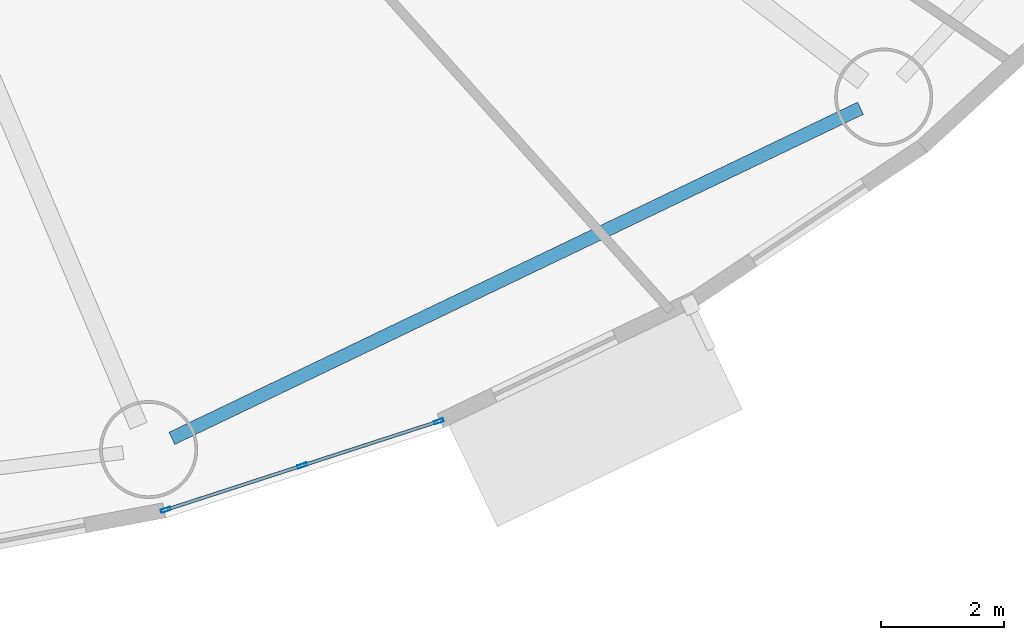
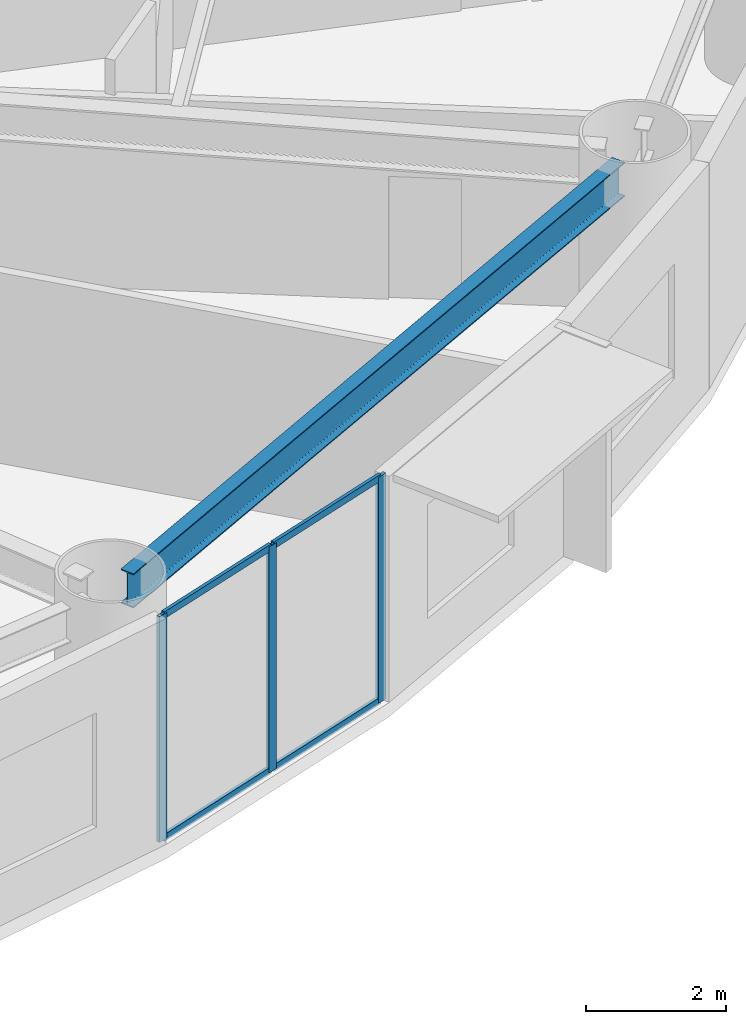
# One storey, part 6 of 29: 7 members, 1 beam, 1 element without a shape of its own.
"""IFC4 building model written with IfcOpenShell, lengths in metres."""

from ifc_helpers import new_model, si_unit, direction, frame, origin, origin_2d, place, context, subcontext, project, spatial, hollow_rectangle, i_section, extrude, source, transform, mapped, material, layer, layer_set, material_profile, profile_set, type_object, element, aggregate, save


model = new_model("IFC4")

# Units and contexts
model_context = context("Model", 3, precision=1e-05, world=origin(), true_north=direction((0.0, 1.0)))
body_context = subcontext(model_context, "Body", "Model", "MODEL_VIEW")
ifc_project = project(units=[si_unit("LENGTHUNIT", "METRE"), si_unit("AREAUNIT", "SQUARE_METRE"), si_unit("VOLUMEUNIT", "CUBIC_METRE"), si_unit("PLANEANGLEUNIT", "RADIAN"), si_unit("MASSUNIT", "GRAM", prefix="KILO")], contexts=[model_context])

# Site, building, storey
site_placement = place(None, origin())
site = spatial("IfcSite", under=ifc_project, at=site_placement, CompositionType="ELEMENT")
building_placement = place(site_placement, origin())
building = spatial("IfcBuilding", under=site, at=building_placement, Name="Linh Dai School and Residence Tower", CompositionType="ELEMENT")
storey_placement = place(building_placement, frame((0.0, 0.0, 45.0)))
storey = spatial("IfcBuildingStorey", under=building, at=storey_placement, Name="L10", CompositionType="ELEMENT", Elevation=45.0)

# Beam
ifc_material_1 = material(Name="Structural Steel S355JR", Category="steel")
ifc_material_profile_1 = material_profile(ifc_material_1, i_section(OverallWidth=0.219970703125, OverallDepth=0.60009765625, WebThickness=0.011962890625, FlangeThickness=0.01904296875, FilletRadius=0.02392578125, at=origin_2d()), Name="IPE 600")
ifc_profile_set_1 = profile_set([ifc_material_profile_1], Name="Structural Steel S355JR")
beam_type = type_object("IfcBeamType", Name="BM-RB60", PredefinedType="BEAM", material=ifc_profile_set_1)
beam_placement = place(storey_placement, frame((45.736572265625, 5.061767578125, 3.64990234375), z_axis=(0.901728693485, 0.432302398034, 0.0), x_axis=(-0.432302398034, 0.901728693485, 0.0)))
element("IfcBeam", 1, at=beam_placement, inside=storey, type_object=beam_type, Name="L10 Perimeter Elliptical Ring Beam 14", PredefinedType="BEAM", context=body_context, shape_type="SweptSolid", body=[
    extrude(i_section(OverallWidth=0.219970703125, OverallDepth=0.60009765625, WebThickness=0.011962890625, FlangeThickness=0.01904296875, FilletRadius=0.02392578125, at=origin_2d()), origin(), (0.0, 0.0, 1.0), 12.462158203125),
])

# Curtain wall, members
ifc_material_2 = material(Name="Aluminium Anodised Curtain Wall", Category="aluminium")
ifc_layer = layer(ifc_material_2, 0.159912109375)
ifc_layer_set = layer_set([ifc_layer], Name="Aluminium Anodised Curtain Wall")
curtain_wall_type = type_object("IfcCurtainWallType", Name="CW-SYS-3", PredefinedType="USERDEFINED", material=ifc_layer_set)
curtain_wall_placement = place(storey_placement, origin())
curtain_wall = element("IfcCurtainWall", 2, at=curtain_wall_placement, inside=storey, type_object=curtain_wall_type, Name="L10 CW3 Curtain Wall 33", ObjectType="RIBBON CURTAIN WALL", PredefinedType="USERDEFINED")
ifc_material_3 = material(Name="Aluminium Alloy 6063-T6", Category="aluminium")
ifc_material_profile_2 = material_profile(ifc_material_3, hollow_rectangle(XDim=0.054931640625, YDim=0.1201171875, WallThickness=0.00390625, at=origin_2d()), Name="RHS 120x55x4")
ifc_profile_set_2 = profile_set([ifc_material_profile_2], Name="Aluminium Alloy 6063-T6")
member_type_1 = type_object("IfcMemberType", Name="CW-SYS-3-TRN", PredefinedType="USERDEFINED", material=ifc_profile_set_2)
shared_shape_1 = source(origin(), body_context, "Body", "SweptSolid", [
    extrude(hollow_rectangle(XDim=0.054931640625, YDim=0.1201171875, WallThickness=0.00390625, at=origin_2d()), origin(), (0.0, 0.0, 1.0), 2.286865234375),
])
member_1_placement = place(storey_placement, frame((50.06591796875, 5.331787109375, 0.027587890625), z_axis=(-0.951214351328, -0.308530805313, 0.0), x_axis=(0.308530805313, -0.951214351328, 0.0)))
member_1 = element("IfcMember", 3, at=member_1_placement, type_object=member_type_1, Name="CW3 transom 1.1", ObjectType="TRANSOM", PredefinedType="USERDEFINED", context=body_context, shape_type="MappedRepresentation", body=[
    mapped(shared_shape_1, transform((0.0, 0.0, 0.0), x_axis=(1.0, 0.0, 0.0), y_axis=(0.0, 1.0, 0.0), z_axis=(0.0, 0.0, 1.0), scale=1.0)),
])
member_2_placement = place(storey_placement, frame((50.06591796875, 5.331787109375, 3.922607421875), z_axis=(-0.951214351328, -0.308530805313, 0.0), x_axis=(0.308530805313, -0.951214351328, 0.0)))
member_2 = element("IfcMember", 4, at=member_2_placement, type_object=member_type_1, Name="CW3 transom 1.2", ObjectType="TRANSOM", PredefinedType="USERDEFINED", context=body_context, shape_type="MappedRepresentation", body=[
    mapped(shared_shape_1, transform((0.0, 0.0, 0.0), x_axis=(1.0, 0.0, 0.0), y_axis=(0.0, 1.0, 0.0), z_axis=(0.0, 0.0, 1.0), scale=1.0)),
])
member_3_placement = place(storey_placement, frame((47.838134765625, 4.609375, 0.027587890625), z_axis=(-0.951214351328, -0.308530805313, 0.0), x_axis=(0.308530805313, -0.951214351328, 0.0)))
member_3 = element("IfcMember", 5, at=member_3_placement, type_object=member_type_1, Name="CW3 transom 2.1", ObjectType="TRANSOM", PredefinedType="USERDEFINED", context=body_context, shape_type="MappedRepresentation", body=[
    mapped(shared_shape_1, transform((0.0, 0.0, 0.0), x_axis=(1.0, 0.0, 0.0), y_axis=(0.0, 1.0, 0.0), z_axis=(0.0, 0.0, 1.0), scale=1.0)),
])
member_4_placement = place(storey_placement, frame((47.838134765625, 4.609375, 3.922607421875), z_axis=(-0.951214351328, -0.308530805313, 0.0), x_axis=(0.308530805313, -0.951214351328, 0.0)))
member_4 = element("IfcMember", 6, at=member_4_placement, type_object=member_type_1, Name="CW3 transom 2.2", ObjectType="TRANSOM", PredefinedType="USERDEFINED", context=body_context, shape_type="MappedRepresentation", body=[
    mapped(shared_shape_1, transform((0.0, 0.0, 0.0), x_axis=(1.0, 0.0, 0.0), y_axis=(0.0, 1.0, 0.0), z_axis=(0.0, 0.0, 1.0), scale=1.0)),
])
ifc_material_profile_3 = material_profile(ifc_material_3, hollow_rectangle(XDim=0.054931640625, YDim=0.159912109375, WallThickness=0.00390625, at=origin_2d()), Name="RHS 160x55x4")
ifc_profile_set_3 = profile_set([ifc_material_profile_3], Name="Aluminium Alloy 6063-T6")
member_type_2 = type_object("IfcMemberType", Name="CW-SYS-3-MUL", PredefinedType="MULLION", material=ifc_profile_set_3)
shared_shape_2 = source(origin(), body_context, "Body", "SweptSolid", [
    extrude(hollow_rectangle(XDim=0.054931640625, YDim=0.159912109375, WallThickness=0.00390625, at=origin_2d()), origin(), (0.0, 0.0, 1.0), 3.949951171875),
])
member_5_placement = place(storey_placement, frame((50.092041015625, 5.34033203125, 0.0), z_axis=(0.0, 0.0, 1.0), x_axis=(0.308510993844, -0.951220777043, 0.0)))
member_5 = element("IfcMember", 7, at=member_5_placement, type_object=member_type_2, Name="CW3 mullion 1", PredefinedType="MULLION", context=body_context, shape_type="MappedRepresentation", body=[
    mapped(shared_shape_2, transform((0.0, 0.0, 0.0), x_axis=(1.0, 0.0, 0.0), y_axis=(0.0, 1.0, 0.0), z_axis=(0.0, 0.0, 1.0), scale=1.0)),
])
member_6_placement = place(storey_placement, frame((47.8642578125, 4.617919921875, 0.0), z_axis=(0.0, 0.0, 1.0), x_axis=(0.308510993844, -0.951220777043, 0.0)))
member_6 = element("IfcMember", 8, at=member_6_placement, type_object=member_type_2, Name="CW3 mullion 2", PredefinedType="MULLION", context=body_context, shape_type="MappedRepresentation", body=[
    mapped(shared_shape_2, transform((0.0, 0.0, 0.0), x_axis=(1.0, 0.0, 0.0), y_axis=(0.0, 1.0, 0.0), z_axis=(0.0, 0.0, 1.0), scale=1.0)),
])
member_7_placement = place(storey_placement, frame((45.63671875, 3.895263671875, 0.0), z_axis=(0.0, 0.0, 1.0), x_axis=(0.308510993844, -0.951220777043, 0.0)))
member_7 = element("IfcMember", 9, at=member_7_placement, type_object=member_type_2, Name="CW3 mullion 3", PredefinedType="MULLION", context=body_context, shape_type="MappedRepresentation", body=[
    mapped(shared_shape_2, transform((0.0, 0.0, 0.0), x_axis=(1.0, 0.0, 0.0), y_axis=(0.0, 1.0, 0.0), z_axis=(0.0, 0.0, 1.0), scale=1.0)),
])
aggregate(curtain_wall, [member_5, member_6, member_7, member_1, member_2, member_3, member_4])

save(model, "model.ifc")
